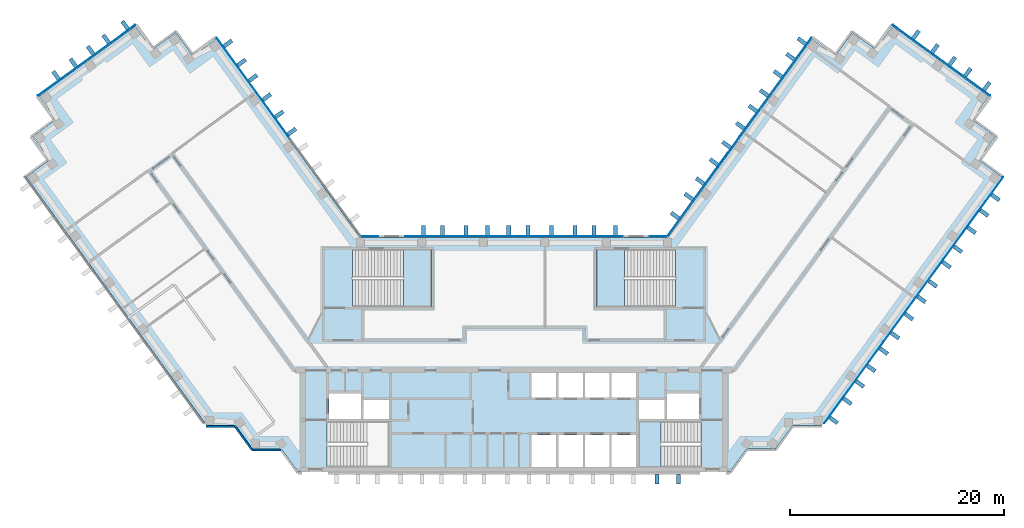
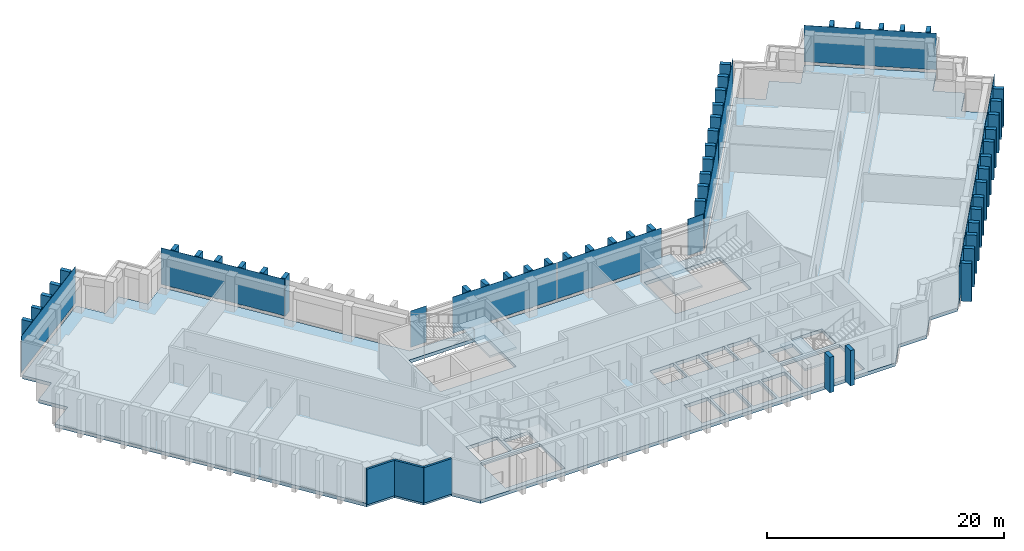
"""IFC4 building model written with IfcOpenShell, lengths in metres."""

import ifcopenshell
import ifcopenshell.guid

model = None  # the IFC model being written
_history = None  # IfcOwnerHistory: only IFC2X3 demands one
_inside = {}  # id of a spatial element -> (the spatial element, [elements in it])
_under = {}  # id of a project, library or spatial element -> (it, [spatial elements below it])
_declared = {}  # id of a project -> (the project, [libraries it declares])
_typed = {}  # id of a type object -> (the type object, [elements of that type])
_made_of = {}  # id of a material, layer set ... -> (it, [elements and type objects made of it])


def new_model(schema):
    """Start an empty IFC model of exactly this schema.

    Asked for "IFC4X3", IfcOpenShell would pick the latest addendum, in which some entities
    have other attributes; the version numbers below select the first issue.
    IFC2X3 requires an IfcOwnerHistory on every rooted entity: one is made here for all.
    """
    global model, _history
    if schema == "IFC4X3":
        model = ifcopenshell.file(schema_version=(4, 3, 0, 0))
    else:
        model = ifcopenshell.file(schema=schema)
    _inside.clear()
    _under.clear()
    _declared.clear()
    _typed.clear()
    _made_of.clear()
    _history = None
    if model.schema == "IFC2X3":
        org = make("IfcOrganization", Name="unknown")
        user = make(
            "IfcPersonAndOrganization",
            ThePerson=make("IfcPerson", FamilyName="unknown"),
            TheOrganization=org,
        )
        app = make(
            "IfcApplication",
            ApplicationDeveloper=org,
            Version="unknown",
            ApplicationFullName="unknown",
            ApplicationIdentifier="unknown",
        )
        _history = make(
            "IfcOwnerHistory",
            OwningUser=user,
            OwningApplication=app,
            ChangeAction="ADDED",
            CreationDate=0,
        )
    return model


def make(cls, **values):
    """One entity of the class cls with the attributes given. An attribute that is None is left unset."""
    return model.create_entity(
        cls, **{name: value for name, value in values.items() if value is not None}
    )


def rooted(cls, **values):
    """An entity with a GlobalId (a new one), such as an element, a storey or a relation."""
    return make(cls, GlobalId=ifcopenshell.guid.new(), OwnerHistory=_history, **values)


def si_unit(unit_type, name, prefix=None):
    """IfcSIUnit, for example si_unit("LENGTHUNIT", "METRE", prefix="MILLI")."""
    return make("IfcSIUnit", UnitType=unit_type, Prefix=prefix, Name=name)


def assignment(units):
    """IfcUnitAssignment: the units of a project."""
    return None if units is None else make("IfcUnitAssignment", Units=units)


def point(xyz):
    """IfcCartesianPoint."""
    return None if xyz is None else make("IfcCartesianPoint", Coordinates=xyz)


def direction(xyz):
    """IfcDirection."""
    return None if xyz is None else make("IfcDirection", DirectionRatios=xyz)


def frame(location, z_axis=None, x_axis=None):
    """IfcAxis2Placement3D, a coordinate frame: its origin and axes. An axis left out is left unset."""
    return make(
        "IfcAxis2Placement3D",
        Location=point(location),
        Axis=direction(z_axis),
        RefDirection=direction(x_axis),
    )


def frame_2d(location, x_axis=None):
    """IfcAxis2Placement2D, a coordinate frame in the plane: its origin and x axis."""
    return make(
        "IfcAxis2Placement2D", Location=point(location), RefDirection=direction(x_axis)
    )


def origin():
    """The frame at (0, 0, 0) with its axes left unset."""
    return frame((0.0, 0.0, 0.0))


def origin_2d():
    """The frame at (0, 0) in the plane with its x axis left unset."""
    return frame_2d((0.0, 0.0))


def place(relative_to, where):
    """IfcLocalPlacement: puts the frame where relative to a parent placement (None: the world)."""
    return make(
        "IfcLocalPlacement", PlacementRelTo=relative_to, RelativePlacement=where
    )


def context(
    kind, dimensions, precision=None, world=None, true_north=None, identifier=None
):
    """IfcGeometricRepresentationContext, for example the 3D "Model" context."""
    return make(
        "IfcGeometricRepresentationContext",
        ContextIdentifier=identifier,
        ContextType=kind,
        CoordinateSpaceDimension=dimensions,
        Precision=precision,
        WorldCoordinateSystem=world,
        TrueNorth=true_north,
    )


def subcontext(parent, identifier, kind, view, scale=None):
    """IfcGeometricRepresentationSubContext, for example "Body" below "Model"."""
    return make(
        "IfcGeometricRepresentationSubContext",
        ContextIdentifier=identifier,
        ContextType=kind,
        ParentContext=parent,
        TargetScale=scale,
        TargetView=view,
    )


def project(units=None, contexts=None):
    """IfcProject with its units and contexts."""
    return rooted(
        "IfcProject",
        Name="project",
        RepresentationContexts=contexts,
        UnitsInContext=assignment(units),
    )


def spatial(cls, under=None, at=None, **own):
    """A site, building, storey or space (cls), placed at a placement, below another one or the project."""
    s = rooted(cls, ObjectPlacement=at, **own)
    if under is not None:
        _under.setdefault(under.id(), (under, []))[1].append(s)
    return s


def polyline(points):
    """IfcPolyline through the points."""
    return make("IfcPolyline", Points=[point(p) for p in points])


def profile(cls, at=None, kind="AREA", **sizes):
    """A parametric profile (cls). Its sizes go by their IFC names, for example OverallWidth=200.0."""
    return make(cls, ProfileType=kind, Position=at, **sizes)


def rectangle(**sizes):
    """IfcRectangleProfileDef."""
    return profile("IfcRectangleProfileDef", **sizes)


def outline(outer, holes=None, kind="AREA"):
    """IfcArbitraryClosedProfileDef: a profile drawn as a closed curve; with holes, ...WithVoids."""
    if holes is None:
        return make("IfcArbitraryClosedProfileDef", ProfileType=kind, OuterCurve=outer)
    return make(
        "IfcArbitraryProfileDefWithVoids",
        ProfileType=kind,
        OuterCurve=outer,
        InnerCurves=holes,
    )


def extrude(swept, where, along, depth):
    """IfcExtrudedAreaSolid: the profile swept, set in the frame where, extruded along a direction by depth."""
    return make(
        "IfcExtrudedAreaSolid",
        SweptArea=swept,
        Position=where,
        ExtrudedDirection=direction(along),
        Depth=depth,
    )


def shape(context_of_items, identifier, shape_type, items):
    """IfcShapeRepresentation: the items that make up one representation, for example the "Body"."""
    return make(
        "IfcShapeRepresentation",
        ContextOfItems=context_of_items,
        RepresentationIdentifier=identifier,
        RepresentationType=shape_type,
        Items=items,
    )


def material(Name=None, Category=None):
    """IfcMaterial."""
    return make("IfcMaterial", Name=Name, Category=Category)


def layer(
    of_material, thickness, ventilated=None, Name=None, Category=None, Priority=None
):
    """IfcMaterialLayer: one layer of a wall or slab, of a material (None: an air gap)."""
    return make(
        "IfcMaterialLayer",
        Material=of_material,
        LayerThickness=thickness,
        IsVentilated=ventilated,
        Name=Name,
        Category=Category,
        Priority=Priority,
    )


def layer_set(layers, Name=None):
    """IfcMaterialLayerSet."""
    return make("IfcMaterialLayerSet", MaterialLayers=layers, LayerSetName=Name)


def made_of(thing, what):
    """Note that an element or type object is made of a material, layer set ...; save() writes the relation."""
    if what is not None:
        _made_of.setdefault(what.id(), (what, []))[1].append(thing)
    return thing


def type_object(cls, material=None, **own):
    """A type object (cls), such as IfcWallType, which elements share."""
    return made_of(rooted(cls, **own), material)


def element(
    cls,
    number,
    at=None,
    inside=None,
    cuts=None,
    type_object=None,
    material=None,
    context=None,
    identifier="Body",
    shape_type=None,
    held_by="IfcProductDefinitionShape",
    body=None,
    shapes=None,
    **own,
):
    """One element of the class cls, such as IfcWall. Its Tag is "e" and its number.

    at: its placement. inside: the storey or other place that contains it. cuts: it is an
    opening in that element (IfcRelVoidsElement). A single representation is given by context,
    identifier, shape_type and body (its items); several are given by shapes. held_by: the class
    of the entity that holds the representations. save() writes the other relations.
    """
    e = rooted(cls, Tag="e%d" % number, ObjectPlacement=at, **own)
    if body is not None:
        shapes = [shape(context, identifier, shape_type, body)]
    if shapes is not None:
        e.Representation = make(held_by, Representations=shapes)
    if inside is not None:
        _inside.setdefault(inside.id(), (inside, []))[1].append(e)
    if cuts is not None:
        rooted(
            "IfcRelVoidsElement", RelatingBuildingElement=cuts, RelatedOpeningElement=e
        )
    if type_object is not None:
        _typed.setdefault(type_object.id(), (type_object, []))[1].append(e)
    return made_of(e, material)


def aggregate(whole, parts):
    """IfcRelAggregates: a whole, such as a stair, and the parts it consists of."""
    return rooted("IfcRelAggregates", RelatingObject=whole, RelatedObjects=parts)


def save(model, path):
    """Write the relations noted so far, then the file.

    IfcRelAggregates (storeys below a building ...), IfcRelContainedInSpatialStructure (elements
    in a storey), IfcRelDefinesByType, IfcRelAssociatesMaterial and IfcRelDeclares: one each for
    every whole, place, type object, material and project.
    """
    for whole, parts in _under.values():
        aggregate(whole, parts)
    for where, things in _inside.values():
        rooted(
            "IfcRelContainedInSpatialStructure",
            RelatedElements=things,
            RelatingStructure=where,
        )
    for kind, things in _typed.values():
        rooted("IfcRelDefinesByType", RelatedObjects=things, RelatingType=kind)
    for what, things in _made_of.values():
        rooted("IfcRelAssociatesMaterial", RelatedObjects=things, RelatingMaterial=what)
    for by, libraries in _declared.values():
        rooted("IfcRelDeclares", RelatingContext=by, RelatedDefinitions=libraries)
    model.write(path)


model = new_model("IFC4")

# Units and contexts
model_context = context("Model", 3, precision=1e-05, world=origin(), true_north=direction((0.0, 1.0)))
body_context = subcontext(model_context, "Body", "Model", "MODEL_VIEW")
ifc_project = project(units=[si_unit("LENGTHUNIT", "METRE"), si_unit("AREAUNIT", "SQUARE_METRE"), si_unit("VOLUMEUNIT", "CUBIC_METRE"), si_unit("PLANEANGLEUNIT", "RADIAN"), si_unit("MASSUNIT", "GRAM", prefix="KILO")], contexts=[model_context])

# Site, building, storey
site_placement = place(None, origin())
site = spatial("IfcSite", under=ifc_project, at=site_placement, CompositionType="ELEMENT")
building_placement = place(site_placement, origin())
building = spatial("IfcBuilding", under=site, at=building_placement, Name="Quipu Civic Tower", CompositionType="ELEMENT")
storey_1_placement = place(building_placement, frame((0.0, 0.0, 168.0)))
storey_1 = spatial("IfcBuildingStorey", under=building, at=storey_1_placement, Name="L39", CompositionType="ELEMENT", Elevation=168.0)

# Slab
ifc_material_1 = material(Name="Concrete C40/50", Category="concrete")
ifc_layer_1 = layer(ifc_material_1, 0.35009765625)
ifc_layer_set_1 = layer_set([ifc_layer_1], Name="Concrete C40/50")
slab_type_1 = type_object("IfcSlabType", Name="Floor slab 350 C40/50", PredefinedType="FLOOR", material=ifc_layer_set_1)
slab_1_placement = place(storey_1_placement, frame((0.0, 0.0, -0.35009765625)))
element("IfcSlab", 1, at=slab_1_placement, inside=storey_1, type_object=slab_type_1, Name="Floor slab L39", PredefinedType="FLOOR", context=body_context, shape_type="SweptSolid", body=[
    extrude(outline(polyline([(27.909912109375, 29.60498046875), (30.094970703125, 28.014892578125), (31.68505859375, 30.199951171875), (33.864990234375, 28.614990234375), (35.455078125, 30.800048828125), (44.514892578125, 24.215087890625), (42.929931640625, 22.030029296875), (45.114990234375, 20.445068359375), (43.52490234375, 18.260009765625), (45.7099609375, 16.669921875), (28.780029296875, -6.6298828125), (26.080078125, -6.6298828125), (24.489990234375, -8.81494140625), (21.7900390625, -8.81494140625), (20.205078125, -11.0), (-20.205078125, -11.0), (-21.7900390625, -8.81494140625), (-24.489990234375, -8.81494140625), (-26.080078125, -6.6298828125), (-28.780029296875, -6.6298828125), (-45.7099609375, 16.669921875), (-43.52490234375, 18.260009765625), (-45.114990234375, 20.445068359375), (-42.929931640625, 22.030029296875), (-44.514892578125, 24.215087890625), (-35.455078125, 30.800048828125), (-33.864990234375, 28.614990234375), (-31.68505859375, 30.199951171875), (-30.094970703125, 28.014892578125), (-27.909912109375, 29.60498046875), (-14.39501953125, 11.0), (14.39501953125, 11.0), (27.909912109375, 29.60498046875)]), holes=[polyline([(1.64990234375, -7.5), (1.64990234375, -10.5), (3.949951171875, -10.5), (3.949951171875, -7.5), (1.64990234375, -7.5)]), polyline([(4.14990234375, -7.5), (4.14990234375, -10.5), (6.449951171875, -10.5), (6.449951171875, -7.5), (4.14990234375, -7.5)]), polyline([(-11.705078125, -6.2548828125), (-17.4951171875, -6.2548828125), (-17.4951171875, -10.4951171875), (-11.705078125, -10.4951171875), (-11.705078125, -6.2548828125)]), polyline([(-14.10009765625, -4.25), (-14.10009765625, -6.0), (-11.699951171875, -6.0), (-11.699951171875, -4.25), (-14.10009765625, -4.25)]), polyline([(-17.35009765625, -3.60009765625), (-17.35009765625, -6.0), (-14.35009765625, -6.0), (-14.35009765625, -3.60009765625), (-17.35009765625, -3.60009765625)]), polyline([(1.64990234375, -1.699951171875), (1.64990234375, -4.0), (3.949951171875, -4.0), (3.949951171875, -1.699951171875), (1.64990234375, -1.699951171875)]), polyline([(4.14990234375, -1.699951171875), (4.14990234375, -4.0), (6.449951171875, -4.0), (6.449951171875, -1.699951171875), (4.14990234375, -1.699951171875)]), polyline([(-7.7548828125, 9.844970703125), (-15.14501953125, 9.844970703125), (-15.14501953125, 4.5048828125), (-7.7548828125, 4.5048828125), (-7.7548828125, 9.844970703125)]), polyline([(6.64990234375, -7.5), (6.64990234375, -10.5), (8.949951171875, -10.5), (8.949951171875, -7.5), (6.64990234375, -7.5)]), polyline([(9.14990234375, -7.5), (9.14990234375, -10.5), (11.449951171875, -10.5), (11.449951171875, -7.5), (9.14990234375, -7.5)]), polyline([(11.705078125, -10.4951171875), (17.4951171875, -10.4951171875), (17.4951171875, -6.2548828125), (11.705078125, -6.2548828125), (11.705078125, -10.4951171875)]), polyline([(11.699951171875, -4.25), (11.699951171875, -6.0), (14.10009765625, -6.0), (14.10009765625, -4.25), (11.699951171875, -4.25)]), polyline([(14.35009765625, -3.60009765625), (14.35009765625, -6.0), (17.35009765625, -6.0), (17.35009765625, -3.60009765625), (14.35009765625, -3.60009765625)]), polyline([(6.64990234375, -1.699951171875), (6.64990234375, -4.0), (8.949951171875, -4.0), (8.949951171875, -1.699951171875), (6.64990234375, -1.699951171875)]), polyline([(9.14990234375, -1.699951171875), (9.14990234375, -4.0), (11.449951171875, -4.0), (11.449951171875, -1.699951171875), (9.14990234375, -1.699951171875)]), polyline([(7.7548828125, 4.5048828125), (15.14501953125, 4.5048828125), (15.14501953125, 9.844970703125), (7.7548828125, 9.844970703125), (7.7548828125, 4.5048828125)])]), origin(), (0.0, 0.0, 1.0), 0.35009765625),
])

# Storey
storey_2_placement = place(building_placement, frame((0.0, 0.0, 172.0)))
storey_2 = spatial("IfcBuildingStorey", under=building, at=storey_2_placement, Name="L40", CompositionType="ELEMENT", Elevation=172.0)

# Curtain wall, plate
ifc_material_2 = material(Name="Insulated glass unit", Category="glass")
curtain_wall_type = type_object("IfcCurtainWallType", Name="Office curtain wall CW1", PredefinedType="NOTDEFINED", material=ifc_material_2)
curtain_wall_1_placement = place(storey_2_placement, origin())
curtain_wall_1 = element("IfcCurtainWall", 2, at=curtain_wall_1_placement, inside=storey_2, type_object=curtain_wall_type, Name="Office curtain wall CW1 L39 run 1", PredefinedType="NOTDEFINED")
ifc_material_3 = material(Name="Insulated glass unit", Category="glass")
ifc_layer_2 = layer(ifc_material_3, 0.028076171875)
ifc_layer_set_2 = layer_set([ifc_layer_2], Name="Insulated glass unit")
plate_type_1 = type_object("IfcPlateType", Name="Glass panel CW1", PredefinedType="CURTAIN_PANEL", material=ifc_layer_set_2)
plate_1_placement = place(storey_1_placement, frame((-24.491455078125, 25.066162109375, 0.240234375), z_axis=(0.0, 0.0, 1.0), x_axis=(-0.587788727052, 0.809014469803, 0.0)))
plate_1 = element("IfcPlate", 3, at=plate_1_placement, inside=storey_1, type_object=plate_type_1, Name="CW1 panel 2.1", PredefinedType="CURTAIN_PANEL", context=body_context, shape_type="SweptSolid", body=[
    extrude(rectangle(XDim=11.402099609375, YDim=0.028076171875, at=origin_2d()), origin(), (0.0, 0.0, 1.0), 3.760009765625),
])
aggregate(curtain_wall_1, [plate_1])

curtain_wall_2_placement = place(storey_2_placement, origin())
curtain_wall_2 = element("IfcCurtainWall", 4, at=curtain_wall_2_placement, inside=storey_2, type_object=curtain_wall_type, Name="Office curtain wall CW1 L39 run 6", PredefinedType="NOTDEFINED")
plate_2_placement = place(storey_1_placement, frame((-40.04345703125, 27.58740234375, 0.240234375), z_axis=(0.0, 0.0, 1.0), x_axis=(-0.809015176832, -0.587787753918, 0.0)))
plate_2 = element("IfcPlate", 5, at=plate_2_placement, inside=storey_1, type_object=plate_type_1, Name="CW1 panel 1.1", PredefinedType="CURTAIN_PANEL", context=body_context, shape_type="SweptSolid", body=[
    extrude(rectangle(XDim=11.239990234375, YDim=0.028076171875, at=origin_2d()), origin(), (0.0, 0.0, 1.0), 3.760009765625),
])
aggregate(curtain_wall_2, [plate_2])

# Curtain wall, plates
curtain_wall_3_placement = place(storey_2_placement, origin())
curtain_wall_3 = element("IfcCurtainWall", 6, at=curtain_wall_3_placement, inside=storey_2, type_object=curtain_wall_type, Name="Office curtain wall CW1 L39 run 20", PredefinedType="NOTDEFINED")
plate_3_placement = place(storey_1_placement, frame((31.824951171875, -2.60888671875, 0.240234375), z_axis=(0.0, 0.0, 1.0), x_axis=(0.5877856923, 0.80901667469, 0.0)))
plate_3 = element("IfcPlate", 7, at=plate_3_placement, inside=storey_1, type_object=plate_type_1, Name="CW1 panel 1.1", PredefinedType="CURTAIN_PANEL", context=body_context, shape_type="SweptSolid", body=[
    extrude(rectangle(XDim=9.43212890625, YDim=0.028076171875, at=origin_2d()), origin(), (0.0, 0.0, 1.0), 3.760009765625),
])
plate_4_placement = place(storey_1_placement, frame((37.427734375, 5.102783203125, 0.240234375), z_axis=(0.0, 0.0, 1.0), x_axis=(0.5877856923, 0.80901667469, 0.0)))
plate_4 = element("IfcPlate", 8, at=plate_4_placement, inside=storey_1, type_object=plate_type_1, Name="CW1 panel 2.1", PredefinedType="CURTAIN_PANEL", context=body_context, shape_type="SweptSolid", body=[
    extrude(rectangle(XDim=9.471923828125, YDim=0.028076171875, at=origin_2d()), origin(), (0.0, 0.0, 1.0), 3.760009765625),
])
plate_5_placement = place(storey_1_placement, frame((43.030517578125, 12.814208984375, 0.240234375), z_axis=(0.0, 0.0, 1.0), x_axis=(0.5877856923, 0.80901667469, 0.0)))
plate_5 = element("IfcPlate", 9, at=plate_5_placement, inside=storey_1, type_object=plate_type_1, Name="CW1 panel 3.1", PredefinedType="CURTAIN_PANEL", context=body_context, shape_type="SweptSolid", body=[
    extrude(rectangle(XDim=9.43212890625, YDim=0.028076171875, at=origin_2d()), origin(), (0.0, 0.0, 1.0), 3.760009765625),
])
aggregate(curtain_wall_3, [plate_3, plate_4, plate_5])

# Curtain wall, plate
curtain_wall_4_placement = place(storey_2_placement, origin())
curtain_wall_4 = element("IfcCurtainWall", 10, at=curtain_wall_4_placement, inside=storey_2, type_object=curtain_wall_type, Name="Office curtain wall CW1 L39 run 25", PredefinedType="NOTDEFINED")
plate_6_placement = place(storey_1_placement, frame((40.04345703125, 27.58740234375, 0.240234375), z_axis=(0.0, 0.0, 1.0), x_axis=(-0.809015176832, 0.587787753918, 0.0)))
plate_6 = element("IfcPlate", 11, at=plate_6_placement, inside=storey_1, type_object=plate_type_1, Name="CW1 panel 1.1", PredefinedType="CURTAIN_PANEL", context=body_context, shape_type="SweptSolid", body=[
    extrude(rectangle(XDim=11.239990234375, YDim=0.028076171875, at=origin_2d()), origin(), (0.0, 0.0, 1.0), 3.760009765625),
])
aggregate(curtain_wall_4, [plate_6])

# Curtain wall, plates
curtain_wall_5_placement = place(storey_2_placement, origin())
curtain_wall_5 = element("IfcCurtainWall", 12, at=curtain_wall_5_placement, inside=storey_2, type_object=curtain_wall_type, Name="Office curtain wall CW1 L39 run 30", PredefinedType="NOTDEFINED")
plate_7_placement = place(storey_1_placement, frame((24.491455078125, 25.066162109375, 0.240234375), z_axis=(0.0, 0.0, 1.0), x_axis=(-0.587788727052, -0.809014469803, 0.0)))
plate_7 = element("IfcPlate", 13, at=plate_7_placement, inside=storey_1, type_object=plate_type_1, Name="CW1 panel 1.1", PredefinedType="CURTAIN_PANEL", context=body_context, shape_type="SweptSolid", body=[
    extrude(rectangle(XDim=11.402099609375, YDim=0.028076171875, at=origin_2d()), origin(), (0.0, 0.0, 1.0), 3.760009765625),
])
plate_8_placement = place(storey_1_placement, frame((17.7421875, 15.777099609375, 0.240234375), z_axis=(0.0, 0.0, 1.0), x_axis=(-0.587788727052, -0.809014469803, 0.0)))
plate_8 = element("IfcPlate", 14, at=plate_8_placement, inside=storey_1, type_object=plate_type_1, Name="CW1 panel 2.1", PredefinedType="CURTAIN_PANEL", context=body_context, shape_type="SweptSolid", body=[
    extrude(rectangle(XDim=11.402099609375, YDim=0.028076171875, at=origin_2d()), origin(), (0.0, 0.0, 1.0), 3.760009765625),
])
aggregate(curtain_wall_5, [plate_7, plate_8])

# Curtain wall, plate
curtain_wall_6_placement = place(storey_2_placement, origin())
curtain_wall_6 = element("IfcCurtainWall", 15, at=curtain_wall_6_placement, inside=storey_2, type_object=curtain_wall_type, Name="Office curtain wall CW1 L39 run 31", PredefinedType="NOTDEFINED")
plate_9_placement = place(storey_1_placement, frame((13.49951171875, 11.10009765625, 0.240234375), z_axis=(0.0, 0.0, 1.0), x_axis=(-1.0, 0.0, 0.0)))
plate_9 = element("IfcPlate", 16, at=plate_9_placement, inside=storey_1, type_object=plate_type_1, Name="CW1 panel 1.1", PredefinedType="CURTAIN_PANEL", context=body_context, shape_type="SweptSolid", body=[
    extrude(rectangle(XDim=1.529296875, YDim=0.028076171875, at=origin_2d()), origin(), (0.0, 0.0, 1.0), 3.760009765625),
])
aggregate(curtain_wall_6, [plate_9])

# Curtain wall, plates
curtain_wall_7_placement = place(storey_2_placement, origin())
curtain_wall_7 = element("IfcCurtainWall", 17, at=curtain_wall_7_placement, inside=storey_2, type_object=curtain_wall_type, Name="Office curtain wall CW1 L39 run 33", PredefinedType="NOTDEFINED")
plate_10_placement = place(storey_1_placement, frame((5.11181640625, 11.10009765625, 0.240234375), z_axis=(0.0, 0.0, 1.0), x_axis=(-1.0, 0.0, 0.0)))
plate_10 = element("IfcPlate", 18, at=plate_10_placement, inside=storey_1, type_object=plate_type_1, Name="CW1 panel 1.1", PredefinedType="CURTAIN_PANEL", context=body_context, shape_type="SweptSolid", body=[
    extrude(rectangle(XDim=10.1435546875, YDim=0.028076171875, at=origin_2d()), origin(), (0.0, 0.0, 1.0), 3.760009765625),
])
plate_11_placement = place(storey_1_placement, frame((-5.11181640625, 11.10009765625, 0.240234375), z_axis=(0.0, 0.0, 1.0), x_axis=(-1.0, 0.0, 0.0)))
plate_11 = element("IfcPlate", 19, at=plate_11_placement, inside=storey_1, type_object=plate_type_1, Name="CW1 panel 2.1", PredefinedType="CURTAIN_PANEL", context=body_context, shape_type="SweptSolid", body=[
    extrude(rectangle(XDim=10.1435546875, YDim=0.028076171875, at=origin_2d()), origin(), (0.0, 0.0, 1.0), 3.760009765625),
])
aggregate(curtain_wall_7, [plate_10, plate_11])

# Curtain wall, plate
curtain_wall_8_placement = place(storey_2_placement, origin())
curtain_wall_8 = element("IfcCurtainWall", 20, at=curtain_wall_8_placement, inside=storey_2, type_object=curtain_wall_type, Name="Office curtain wall CW1 L39 run 35", PredefinedType="NOTDEFINED")
plate_12_placement = place(storey_1_placement, frame((-13.49951171875, 11.10009765625, 0.240234375), z_axis=(0.0, 0.0, 1.0), x_axis=(-1.0, 0.0, 0.0)))
plate_12 = element("IfcPlate", 21, at=plate_12_placement, inside=storey_1, type_object=plate_type_1, Name="CW1 panel 1.1", PredefinedType="CURTAIN_PANEL", context=body_context, shape_type="SweptSolid", body=[
    extrude(rectangle(XDim=1.529296875, YDim=0.028076171875, at=origin_2d()), origin(), (0.0, 0.0, 1.0), 3.760009765625),
])
aggregate(curtain_wall_8, [plate_12])

# Plates
ifc_material_4 = material(Name="Precast concrete C40/50", Category="concrete")
plate_type_2 = type_object("IfcPlateType", Name="Precast fin F2", PredefinedType="SHEET", material=ifc_material_4)
for number, where, z_axis, x_axis, name in (
    (22, (-20.79931640625, 20.92041015625, 0.080078125), (0.0, 0.0, 1.0), (-0.587787133119, 0.809015627871, 0.0), "Precast fin F2 L39.1.6"),
    (23, (-21.974853515625, 22.538330078125, 0.080078125), (0.0, 0.0, 1.0), (-0.587787133119, 0.809015627871, 0.0), "Precast fin F2 L39.1.7"),
    (24, (-23.150390625, 24.156494140625, 0.080078125), (0.0, 0.0, 1.0), (-0.587787133119, 0.809015627871, 0.0), "Precast fin F2 L39.1.8"),
    (25, (-24.443603515625, 25.936279296875, 0.080078125), (0.0, 0.0, 1.0), (-0.587787133119, 0.809015627871, 0.0), "Precast fin F2 L39.1.9"),
    (26, (-25.501708984375, 27.392578125, 0.080078125), (0.0, 0.0, 1.0), (-0.587787133119, 0.809015627871, 0.0), "Precast fin F2 L39.1.10"),
    (27, (-26.794677734375, 29.17236328125, 0.080078125), (0.0, 0.0, 1.0), (-0.587787133119, 0.809015627871, 0.0), "Precast fin F2 L39.1.11"),
    (28, (-36.434814453125, 30.88916015625, 0.080078125), (0.0, 0.0, 1.0), (-0.809017072762, -0.587785144401, 0.0), "Precast fin F2 L39.6.1"),
    (29, (-38.21484375, 29.595947265625, 0.080078125), (0.0, 0.0, 1.0), (-0.809017072762, -0.587785144401, 0.0), "Precast fin F2 L39.6.2"),
    (30, (-39.6708984375, 28.537841796875, 0.080078125), (0.0, 0.0, 1.0), (-0.809017072762, -0.587785144401, 0.0), "Precast fin F2 L39.6.3"),
    (31, (-41.2890625, 27.3623046875, 0.080078125), (0.0, 0.0, 1.0), (-0.809017072762, -0.587785144401, 0.0), "Precast fin F2 L39.6.4"),
    (32, (-42.906982421875, 26.186767578125, 0.080078125), (0.0, 0.0, 1.0), (-0.809017072762, -0.587785144401, 0.0), "Precast fin F2 L39.6.5"),
):
    element("IfcPlate", number, at=place(storey_1_placement, frame(where, z_axis=z_axis, x_axis=x_axis)), inside=storey_1, type_object=plate_type_2, Name=name, PredefinedType="SHEET", context=body_context, shape_type="SweptSolid", body=[
        extrude(rectangle(XDim=0.3798828125, YDim=0.89990234375, at=origin_2d()), origin(), (0.0, 0.0, 1.0), 3.919921875),
    ])
for number, where, z_axis, x_axis, name in (
    (33, (13.389892578125, -11.637939453125, 0.0), (0.0, 0.0, 1.0), (1.0, 0.0, 0.0), "Precast fin F2 L39.14.16"),
    (34, (15.389892578125, -11.637939453125, 0.0), (0.0, 0.0, 1.0), (1.0, 0.0, 0.0), "Precast fin F2 L39.14.17"),
):
    element("IfcPlate", number, at=place(storey_1_placement, frame(where, z_axis=z_axis, x_axis=x_axis)), inside=storey_1, type_object=plate_type_2, Name=name, PredefinedType="SHEET", context=body_context, shape_type="SweptSolid", body=[
        extrude(rectangle(XDim=0.3798828125, YDim=0.89990234375, at=origin_2d()), origin(), (0.0, 0.0, 1.0), 3.64990234375),
    ])
for number, where, z_axis, x_axis, name in (
    (35, (29.944091796875, -6.133056640625, 0.080078125), (0.0, 0.0, 1.0), (0.587785620359, 0.809016726959, 0.0), "Precast fin F2 L39.20.1"),
    (36, (31.2373046875, -4.353271484375, 0.080078125), (0.0, 0.0, 1.0), (0.587785620359, 0.809016726959, 0.0), "Precast fin F2 L39.20.2"),
    (37, (32.412841796875, -2.7353515625, 0.080078125), (0.0, 0.0, 1.0), (0.587785620359, 0.809016726959, 0.0), "Precast fin F2 L39.20.3"),
    (38, (33.470947265625, -1.279052734375, 0.080078125), (0.0, 0.0, 1.0), (0.587785620359, 0.809016726959, 0.0), "Precast fin F2 L39.20.4"),
    (39, (34.646484375, 0.339111328125, 0.080078125), (0.0, 0.0, 1.0), (0.587785620359, 0.809016726959, 0.0), "Precast fin F2 L39.20.5"),
    (40, (35.70458984375, 1.795166015625, 0.080078125), (0.0, 0.0, 1.0), (0.587785620359, 0.809016726959, 0.0), "Precast fin F2 L39.20.6"),
    (41, (36.99755859375, 3.5751953125, 0.080078125), (0.0, 0.0, 1.0), (0.587785620359, 0.809016726959, 0.0), "Precast fin F2 L39.20.7"),
    (42, (38.173095703125, 5.193115234375, 0.080078125), (0.0, 0.0, 1.0), (0.587785620359, 0.809016726959, 0.0), "Precast fin F2 L39.20.8"),
    (43, (39.231201171875, 6.6494140625, 0.080078125), (0.0, 0.0, 1.0), (0.587785620359, 0.809016726959, 0.0), "Precast fin F2 L39.20.9"),
    (44, (40.5244140625, 8.42919921875, 0.080078125), (0.0, 0.0, 1.0), (0.587785620359, 0.809016726959, 0.0), "Precast fin F2 L39.20.10"),
    (45, (41.582275390625, 9.885498046875, 0.080078125), (0.0, 0.0, 1.0), (0.587785620359, 0.809016726959, 0.0), "Precast fin F2 L39.20.11"),
    (46, (42.87548828125, 11.665283203125, 0.080078125), (0.0, 0.0, 1.0), (0.587785620359, 0.809016726959, 0.0), "Precast fin F2 L39.20.12"),
    (47, (44.051025390625, 13.283203125, 0.080078125), (0.0, 0.0, 1.0), (0.587785620359, 0.809016726959, 0.0), "Precast fin F2 L39.20.13"),
    (48, (45.109130859375, 14.739501953125, 0.080078125), (0.0, 0.0, 1.0), (0.587785620359, 0.809016726959, 0.0), "Precast fin F2 L39.20.14"),
    (49, (44.298583984375, 25.17578125, 0.080078125), (0.0, 0.0, 1.0), (-0.809017072762, 0.587785144401, 0.0), "Precast fin F2 L39.25.1"),
    (50, (42.518798828125, 26.468994140625, 0.080078125), (0.0, 0.0, 1.0), (-0.809017072762, 0.587785144401, 0.0), "Precast fin F2 L39.25.2"),
    (51, (41.0625, 27.52685546875, 0.080078125), (0.0, 0.0, 1.0), (-0.809017072762, 0.587785144401, 0.0), "Precast fin F2 L39.25.3"),
    (52, (39.444580078125, 28.70263671875, 0.080078125), (0.0, 0.0, 1.0), (-0.809017072762, 0.587785144401, 0.0), "Precast fin F2 L39.25.4"),
    (53, (37.66455078125, 29.99560546875, 0.080078125), (0.0, 0.0, 1.0), (-0.809017072762, 0.587785144401, 0.0), "Precast fin F2 L39.25.5"),
    (54, (26.95068359375, 29.386962890625, 0.080078125), (0.0, 0.0, 1.0), (-0.587787133119, -0.809015627871, 0.0), "Precast fin F2 L39.30.1"),
    (55, (25.892578125, 27.9306640625, 0.080078125), (0.0, 0.0, 1.0), (-0.587787133119, -0.809015627871, 0.0), "Precast fin F2 L39.30.2"),
    (56, (24.717041015625, 26.312744140625, 0.080078125), (0.0, 0.0, 1.0), (-0.587787133119, -0.809015627871, 0.0), "Precast fin F2 L39.30.3"),
    (57, (23.424072265625, 24.53271484375, 0.080078125), (0.0, 0.0, 1.0), (-0.587787133119, -0.809015627871, 0.0), "Precast fin F2 L39.30.4"),
    (58, (22.365966796875, 23.07666015625, 0.080078125), (0.0, 0.0, 1.0), (-0.587787133119, -0.809015627871, 0.0), "Precast fin F2 L39.30.5"),
    (59, (21.1904296875, 21.45849609375, 0.080078125), (0.0, 0.0, 1.0), (-0.587787133119, -0.809015627871, 0.0), "Precast fin F2 L39.30.6"),
    (60, (19.897216796875, 19.6787109375, 0.080078125), (0.0, 0.0, 1.0), (-0.587787133119, -0.809015627871, 0.0), "Precast fin F2 L39.30.7"),
    (61, (18.7216796875, 18.060791015625, 0.080078125), (0.0, 0.0, 1.0), (-0.587787133119, -0.809015627871, 0.0), "Precast fin F2 L39.30.8"),
    (62, (17.428466796875, 16.28076171875, 0.080078125), (0.0, 0.0, 1.0), (-0.587787133119, -0.809015627871, 0.0), "Precast fin F2 L39.30.9"),
    (63, (16.37060546875, 14.82470703125, 0.080078125), (0.0, 0.0, 1.0), (-0.587787133119, -0.809015627871, 0.0), "Precast fin F2 L39.30.10"),
    (64, (15.077392578125, 13.044677734375, 0.080078125), (0.0, 0.0, 1.0), (-0.587787133119, -0.809015627871, 0.0), "Precast fin F2 L39.30.11"),
    (65, (9.510009765625, 11.64990234375, 0.080078125), (0.0, 0.0, 1.0), (-1.0, 0.0, 0.0), "Precast fin F2 L39.33.1"),
    (66, (7.510009765625, 11.64990234375, 0.080078125), (0.0, 0.0, 1.0), (-1.0, 0.0, 0.0), "Precast fin F2 L39.33.2"),
    (67, (5.7099609375, 11.64990234375, 0.080078125), (0.0, 0.0, 1.0), (-1.0, 0.0, 0.0), "Precast fin F2 L39.33.3"),
    (68, (3.510009765625, 11.64990234375, 0.080078125), (0.0, 0.0, 1.0), (-1.0, 0.0, 0.0), "Precast fin F2 L39.33.4"),
    (69, (1.31005859375, 11.64990234375, 0.080078125), (0.0, 0.0, 1.0), (-1.0, 0.0, 0.0), "Precast fin F2 L39.33.5"),
    (70, (-0.489990234375, 11.64990234375, 0.080078125), (0.0, 0.0, 1.0), (-1.0, 0.0, 0.0), "Precast fin F2 L39.33.6"),
    (71, (-2.489990234375, 11.64990234375, 0.080078125), (0.0, 0.0, 1.0), (-1.0, 0.0, 0.0), "Precast fin F2 L39.33.7"),
    (72, (-4.489990234375, 11.64990234375, 0.080078125), (0.0, 0.0, 1.0), (-1.0, 0.0, 0.0), "Precast fin F2 L39.33.8"),
    (73, (-6.68994140625, 11.64990234375, 0.080078125), (0.0, 0.0, 1.0), (-1.0, 0.0, 0.0), "Precast fin F2 L39.33.9"),
    (74, (-8.489990234375, 11.64990234375, 0.080078125), (0.0, 0.0, 1.0), (-1.0, 0.0, 0.0), "Precast fin F2 L39.33.10"),
):
    element("IfcPlate", number, at=place(storey_1_placement, frame(where, z_axis=z_axis, x_axis=x_axis)), inside=storey_1, type_object=plate_type_2, Name=name, PredefinedType="SHEET", context=body_context, shape_type="SweptSolid", body=[
        extrude(rectangle(XDim=0.3798828125, YDim=0.89990234375, at=origin_2d()), origin(), (0.0, 0.0, 1.0), 3.919921875),
    ])

# Stair, slab
ifc_material_5 = material(Name="Concrete C40/50", Category="concrete")
stair_type_1 = type_object("IfcStairType", Name="Half turn stair 2000", PredefinedType="HALF_TURN_STAIR", material=ifc_material_5)
stair_1_placement = place(storey_1_placement, origin())
stair_1 = element("IfcStair", 75, at=stair_1_placement, inside=storey_1, type_object=stair_type_1, Name="Exit stair 2", PredefinedType="HALF_TURN_STAIR")
ifc_material_6 = material(Name="Concrete C40/50", Category="concrete")
ifc_layer_3 = layer(ifc_material_6, 0.199951171875)
ifc_layer_set_3 = layer_set([ifc_layer_3], Name="Concrete C40/50")
slab_type_2 = type_object("IfcSlabType", Name="Stair landing 200", PredefinedType="LANDING", material=ifc_layer_set_3)
slab_2_placement = place(storey_1_placement, frame((0.0, 0.0, 1.800048828125)))
slab_2 = element("IfcSlab", 76, at=slab_2_placement, type_object=slab_type_2, Name="ST-2 landing 1", PredefinedType="LANDING", context=body_context, shape_type="SweptSolid", body=[
    extrude(outline(polyline([(13.780029296875, -6.25), (11.699951171875, -6.25), (11.699951171875, -10.5), (13.780029296875, -10.5), (13.780029296875, -6.25)])), origin(), (0.0, 0.0, 1.0), 0.199951171875),
])
aggregate(stair_1, [slab_2])

ifc_material_7 = material(Name="Concrete C40/50", Category="concrete")
stair_type_2 = type_object("IfcStairType", Name="Half turn stair 2600", PredefinedType="HALF_TURN_STAIR", material=ifc_material_7)
stair_2_placement = place(storey_1_placement, origin())
stair_2 = element("IfcStair", 77, at=stair_2_placement, inside=storey_1, type_object=stair_type_2, Name="Exit stair 3", PredefinedType="HALF_TURN_STAIR")
slab_3_placement = place(storey_1_placement, frame((0.0, 0.0, 1.800048828125)))
slab_3 = element("IfcSlab", 78, at=slab_3_placement, type_object=slab_type_2, Name="ST-3 landing 1", PredefinedType="LANDING", context=body_context, shape_type="SweptSolid", body=[
    extrude(outline(polyline([(-10.35009765625, 4.5), (-7.75, 4.5), (-7.75, 9.85009765625), (-10.35009765625, 9.85009765625), (-10.35009765625, 4.5)])), origin(), (0.0, 0.0, 1.0), 0.199951171875),
])
aggregate(stair_2, [slab_3])

stair_3_placement = place(storey_1_placement, origin())
stair_3 = element("IfcStair", 79, at=stair_3_placement, inside=storey_1, type_object=stair_type_2, Name="Exit stair 4", PredefinedType="HALF_TURN_STAIR")
slab_4_placement = place(storey_1_placement, frame((0.0, 0.0, 1.800048828125)))
slab_4 = element("IfcSlab", 80, at=slab_4_placement, type_object=slab_type_2, Name="ST-4 landing 1", PredefinedType="LANDING", context=body_context, shape_type="SweptSolid", body=[
    extrude(outline(polyline([(10.35009765625, 9.85009765625), (7.75, 9.85009765625), (7.75, 4.5), (10.35009765625, 4.5), (10.35009765625, 9.85009765625)])), origin(), (0.0, 0.0, 1.0), 0.199951171875),
])
aggregate(stair_3, [slab_4])

# Walls
ifc_material_8 = material(Name="Precast concrete C40/50", Category="concrete")
wall_type = type_object("IfcWallType", Name="Precast cladding wall", PredefinedType="SOLIDWALL", material=ifc_material_8)
wall_1_placement = place(storey_1_placement, frame((-28.829833984375, -6.71923828125, 0.0), z_axis=(0.0, 0.0, 1.0), x_axis=(1.0, 0.0, 0.0)))
element("IfcWall", 81, at=wall_1_placement, inside=storey_1, type_object=wall_type, Name="Precast cladding wall L39 9", PredefinedType="SOLIDWALL", context=body_context, shape_type="SweptSolid", body=[
    extrude(rectangle(XDim=2.699951171875, YDim=0.199951171875, at=frame_2d((1.35009765625, 0.0))), origin(), (0.0, 0.0, 1.0), 3.64990234375),
])
wall_2_placement = place(storey_1_placement, frame((-26.1201171875, -6.72412109375, 0.0), z_axis=(0.0, 0.0, 1.0), x_axis=(0.587720002413, -0.809064397168, 0.0)))
element("IfcWall", 82, at=wall_2_placement, inside=storey_1, type_object=wall_type, Name="Precast cladding wall L39 10", PredefinedType="SOLIDWALL", context=body_context, shape_type="SweptSolid", body=[
    extrude(rectangle(XDim=2.7001953125, YDim=0.199951171875, at=frame_2d((1.35009765625, 0.0))), origin(), (0.0, 0.0, 1.0), 3.64990234375),
])
wall_3_placement = place(storey_1_placement, frame((-24.542724609375, -8.90380859375, 0.0), z_axis=(0.0, 0.0, 1.0), x_axis=(1.0, 0.0, 0.0)))
element("IfcWall", 83, at=wall_3_placement, inside=storey_1, type_object=wall_type, Name="Precast cladding wall L39 11", PredefinedType="SOLIDWALL", context=body_context, shape_type="SweptSolid", body=[
    extrude(rectangle(XDim=2.699951171875, YDim=0.199951171875, at=frame_2d((1.35009765625, 0.0))), origin(), (0.0, 0.0, 1.0), 3.64990234375),
])

save(model, "model.ifc")
